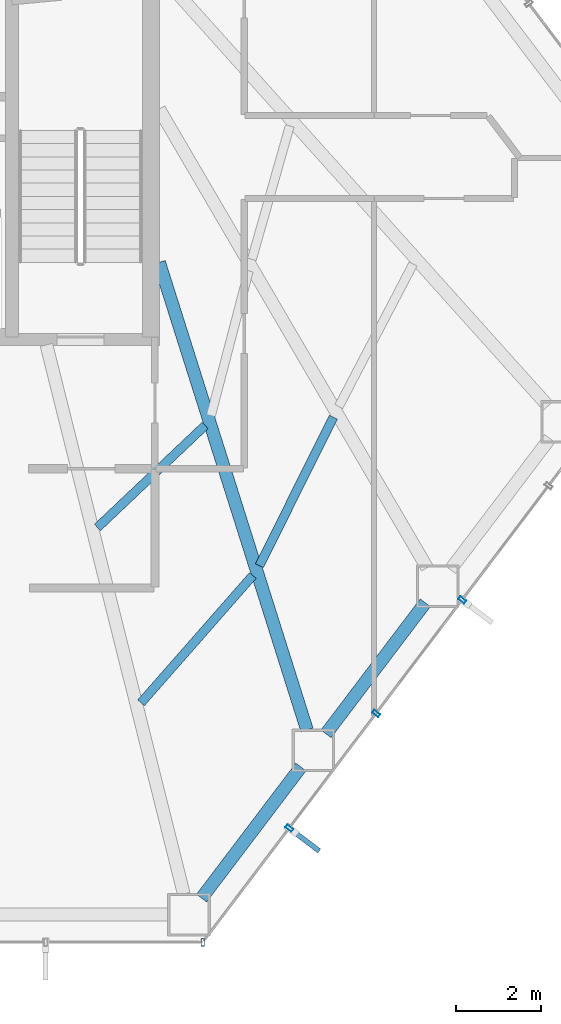
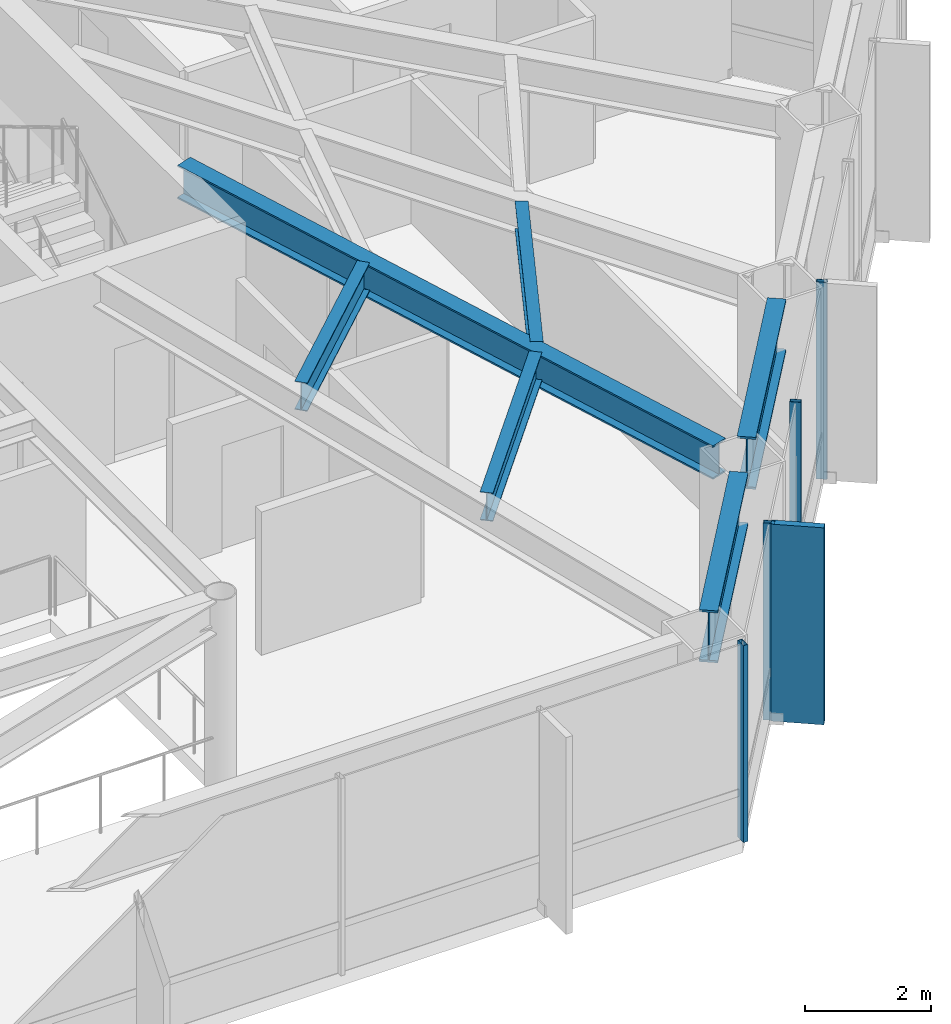
# One storey, part 16 of 25: 6 beams, 5 members, 2 elements without a shape of their own.
"""IFC4 building model written with IfcOpenShell, lengths in metres."""

import ifcopenshell
import ifcopenshell.guid

model = None  # the IFC model being written
_history = None  # IfcOwnerHistory: only IFC2X3 demands one
_inside = {}  # id of a spatial element -> (the spatial element, [elements in it])
_under = {}  # id of a project, library or spatial element -> (it, [spatial elements below it])
_declared = {}  # id of a project -> (the project, [libraries it declares])
_typed = {}  # id of a type object -> (the type object, [elements of that type])
_made_of = {}  # id of a material, layer set ... -> (it, [elements and type objects made of it])


def new_model(schema):
    """Start an empty IFC model of exactly this schema.

    Asked for "IFC4X3", IfcOpenShell would pick the latest addendum, in which some entities
    have other attributes; the version numbers below select the first issue.
    IFC2X3 requires an IfcOwnerHistory on every rooted entity: one is made here for all.
    """
    global model, _history
    if schema == "IFC4X3":
        model = ifcopenshell.file(schema_version=(4, 3, 0, 0))
    else:
        model = ifcopenshell.file(schema=schema)
    _inside.clear()
    _under.clear()
    _declared.clear()
    _typed.clear()
    _made_of.clear()
    _history = None
    if model.schema == "IFC2X3":
        org = make("IfcOrganization", Name="unknown")
        user = make(
            "IfcPersonAndOrganization",
            ThePerson=make("IfcPerson", FamilyName="unknown"),
            TheOrganization=org,
        )
        app = make(
            "IfcApplication",
            ApplicationDeveloper=org,
            Version="unknown",
            ApplicationFullName="unknown",
            ApplicationIdentifier="unknown",
        )
        _history = make(
            "IfcOwnerHistory",
            OwningUser=user,
            OwningApplication=app,
            ChangeAction="ADDED",
            CreationDate=0,
        )
    return model


def make(cls, **values):
    """One entity of the class cls with the attributes given. An attribute that is None is left unset."""
    return model.create_entity(
        cls, **{name: value for name, value in values.items() if value is not None}
    )


def rooted(cls, **values):
    """An entity with a GlobalId (a new one), such as an element, a storey or a relation."""
    return make(cls, GlobalId=ifcopenshell.guid.new(), OwnerHistory=_history, **values)


def si_unit(unit_type, name, prefix=None):
    """IfcSIUnit, for example si_unit("LENGTHUNIT", "METRE", prefix="MILLI")."""
    return make("IfcSIUnit", UnitType=unit_type, Prefix=prefix, Name=name)


def assignment(units):
    """IfcUnitAssignment: the units of a project."""
    return None if units is None else make("IfcUnitAssignment", Units=units)


def point(xyz):
    """IfcCartesianPoint."""
    return None if xyz is None else make("IfcCartesianPoint", Coordinates=xyz)


def direction(xyz):
    """IfcDirection."""
    return None if xyz is None else make("IfcDirection", DirectionRatios=xyz)


def frame(location, z_axis=None, x_axis=None):
    """IfcAxis2Placement3D, a coordinate frame: its origin and axes. An axis left out is left unset."""
    return make(
        "IfcAxis2Placement3D",
        Location=point(location),
        Axis=direction(z_axis),
        RefDirection=direction(x_axis),
    )


def frame_2d(location, x_axis=None):
    """IfcAxis2Placement2D, a coordinate frame in the plane: its origin and x axis."""
    return make(
        "IfcAxis2Placement2D", Location=point(location), RefDirection=direction(x_axis)
    )


def origin():
    """The frame at (0, 0, 0) with its axes left unset."""
    return frame((0.0, 0.0, 0.0))


def origin_2d():
    """The frame at (0, 0) in the plane with its x axis left unset."""
    return frame_2d((0.0, 0.0))


def place(relative_to, where):
    """IfcLocalPlacement: puts the frame where relative to a parent placement (None: the world)."""
    return make(
        "IfcLocalPlacement", PlacementRelTo=relative_to, RelativePlacement=where
    )


def context(
    kind, dimensions, precision=None, world=None, true_north=None, identifier=None
):
    """IfcGeometricRepresentationContext, for example the 3D "Model" context."""
    return make(
        "IfcGeometricRepresentationContext",
        ContextIdentifier=identifier,
        ContextType=kind,
        CoordinateSpaceDimension=dimensions,
        Precision=precision,
        WorldCoordinateSystem=world,
        TrueNorth=true_north,
    )


def subcontext(parent, identifier, kind, view, scale=None):
    """IfcGeometricRepresentationSubContext, for example "Body" below "Model"."""
    return make(
        "IfcGeometricRepresentationSubContext",
        ContextIdentifier=identifier,
        ContextType=kind,
        ParentContext=parent,
        TargetScale=scale,
        TargetView=view,
    )


def project(units=None, contexts=None):
    """IfcProject with its units and contexts."""
    return rooted(
        "IfcProject",
        Name="project",
        RepresentationContexts=contexts,
        UnitsInContext=assignment(units),
    )


def spatial(cls, under=None, at=None, **own):
    """A site, building, storey or space (cls), placed at a placement, below another one or the project."""
    s = rooted(cls, ObjectPlacement=at, **own)
    if under is not None:
        _under.setdefault(under.id(), (under, []))[1].append(s)
    return s


def profile(cls, at=None, kind="AREA", **sizes):
    """A parametric profile (cls). Its sizes go by their IFC names, for example OverallWidth=200.0."""
    return make(cls, ProfileType=kind, Position=at, **sizes)


def rectangle(**sizes):
    """IfcRectangleProfileDef."""
    return profile("IfcRectangleProfileDef", **sizes)


def hollow_rectangle(**sizes):
    """IfcRectangleHollowProfileDef."""
    return profile("IfcRectangleHollowProfileDef", **sizes)


def i_section(**sizes):
    """IfcIShapeProfileDef."""
    return profile("IfcIShapeProfileDef", **sizes)


def extrude(swept, where, along, depth):
    """IfcExtrudedAreaSolid: the profile swept, set in the frame where, extruded along a direction by depth."""
    return make(
        "IfcExtrudedAreaSolid",
        SweptArea=swept,
        Position=where,
        ExtrudedDirection=direction(along),
        Depth=depth,
    )


def shape(context_of_items, identifier, shape_type, items):
    """IfcShapeRepresentation: the items that make up one representation, for example the "Body"."""
    return make(
        "IfcShapeRepresentation",
        ContextOfItems=context_of_items,
        RepresentationIdentifier=identifier,
        RepresentationType=shape_type,
        Items=items,
    )


def material(Name=None, Category=None):
    """IfcMaterial."""
    return make("IfcMaterial", Name=Name, Category=Category)


def layer(
    of_material, thickness, ventilated=None, Name=None, Category=None, Priority=None
):
    """IfcMaterialLayer: one layer of a wall or slab, of a material (None: an air gap)."""
    return make(
        "IfcMaterialLayer",
        Material=of_material,
        LayerThickness=thickness,
        IsVentilated=ventilated,
        Name=Name,
        Category=Category,
        Priority=Priority,
    )


def layer_set(layers, Name=None):
    """IfcMaterialLayerSet."""
    return make("IfcMaterialLayerSet", MaterialLayers=layers, LayerSetName=Name)


def material_profile(
    of_material, cross_section, Name=None, Category=None, Priority=None
):
    """IfcMaterialProfile: a cross section and its material."""
    return make(
        "IfcMaterialProfile",
        Name=Name,
        Material=of_material,
        Profile=cross_section,
        Priority=Priority,
        Category=Category,
    )


def profile_set(profiles, Name=None, composite=None):
    """IfcMaterialProfileSet."""
    return make(
        "IfcMaterialProfileSet",
        Name=Name,
        MaterialProfiles=profiles,
        CompositeProfile=composite,
    )


def made_of(thing, what):
    """Note that an element or type object is made of a material, layer set ...; save() writes the relation."""
    if what is not None:
        _made_of.setdefault(what.id(), (what, []))[1].append(thing)
    return thing


def type_object(cls, material=None, **own):
    """A type object (cls), such as IfcWallType, which elements share."""
    return made_of(rooted(cls, **own), material)


def element(
    cls,
    number,
    at=None,
    inside=None,
    cuts=None,
    type_object=None,
    material=None,
    context=None,
    identifier="Body",
    shape_type=None,
    held_by="IfcProductDefinitionShape",
    body=None,
    shapes=None,
    **own,
):
    """One element of the class cls, such as IfcWall. Its Tag is "e" and its number.

    at: its placement. inside: the storey or other place that contains it. cuts: it is an
    opening in that element (IfcRelVoidsElement). A single representation is given by context,
    identifier, shape_type and body (its items); several are given by shapes. held_by: the class
    of the entity that holds the representations. save() writes the other relations.
    """
    e = rooted(cls, Tag="e%d" % number, ObjectPlacement=at, **own)
    if body is not None:
        shapes = [shape(context, identifier, shape_type, body)]
    if shapes is not None:
        e.Representation = make(held_by, Representations=shapes)
    if inside is not None:
        _inside.setdefault(inside.id(), (inside, []))[1].append(e)
    if cuts is not None:
        rooted(
            "IfcRelVoidsElement", RelatingBuildingElement=cuts, RelatedOpeningElement=e
        )
    if type_object is not None:
        _typed.setdefault(type_object.id(), (type_object, []))[1].append(e)
    return made_of(e, material)


def aggregate(whole, parts):
    """IfcRelAggregates: a whole, such as a stair, and the parts it consists of."""
    return rooted("IfcRelAggregates", RelatingObject=whole, RelatedObjects=parts)


def save(model, path):
    """Write the relations noted so far, then the file.

    IfcRelAggregates (storeys below a building ...), IfcRelContainedInSpatialStructure (elements
    in a storey), IfcRelDefinesByType, IfcRelAssociatesMaterial and IfcRelDeclares: one each for
    every whole, place, type object, material and project.
    """
    for whole, parts in _under.values():
        aggregate(whole, parts)
    for where, things in _inside.values():
        rooted(
            "IfcRelContainedInSpatialStructure",
            RelatedElements=things,
            RelatingStructure=where,
        )
    for kind, things in _typed.values():
        rooted("IfcRelDefinesByType", RelatedObjects=things, RelatingType=kind)
    for what, things in _made_of.values():
        rooted("IfcRelAssociatesMaterial", RelatedObjects=things, RelatingMaterial=what)
    for by, libraries in _declared.values():
        rooted("IfcRelDeclares", RelatingContext=by, RelatedDefinitions=libraries)
    model.write(path)


model = new_model("IFC4")

# Units and contexts
model_context = context("Model", 3, precision=1e-05, world=origin(), true_north=direction((0.0, 1.0)))
body_context = subcontext(model_context, "Body", "Model", "MODEL_VIEW")
ifc_project = project(units=[si_unit("LENGTHUNIT", "METRE"), si_unit("AREAUNIT", "SQUARE_METRE"), si_unit("VOLUMEUNIT", "CUBIC_METRE"), si_unit("PLANEANGLEUNIT", "RADIAN"), si_unit("MASSUNIT", "GRAM", prefix="KILO")], contexts=[model_context])

# Site, building, storey
site_placement = place(None, origin())
site = spatial("IfcSite", under=ifc_project, at=site_placement, CompositionType="ELEMENT")
building_placement = place(site_placement, origin())
building = spatial("IfcBuilding", under=site, at=building_placement, Name="Zarrinselat Tower", CompositionType="ELEMENT")
storey_placement = place(building_placement, frame((0.0, 0.0, 43.860107421875)))
storey = spatial("IfcBuildingStorey", under=building, at=storey_placement, Name="L10", CompositionType="ELEMENT", Elevation=43.860107421875)

# Beams
ifc_material_1 = material(Name="Steel S355J2", Category="steel")
ifc_material_profile_1 = material_profile(ifc_material_1, i_section(OverallWidth=0.300048828125, OverallDepth=0.64990234375, WebThickness=0.01611328125, FlangeThickness=0.031005859375, at=origin_2d()), Name="HEB 650")
ifc_profile_set_1 = profile_set([ifc_material_profile_1], Name="Steel S355J2")
beam_type_1 = type_object("IfcBeamType", Name="BM-HEB650", PredefinedType="BEAM", material=ifc_profile_set_1)
beam_1_placement = place(storey_placement, frame((48.449951171875, 35.0, 3.494873046875), z_axis=(0.301458810122, -0.953479200507, 0.0), x_axis=(0.953479200507, 0.301458810122, 0.0)))
element("IfcBeam", 1, at=beam_1_placement, inside=storey, type_object=beam_type_1, Name="L10 Radial Primary Girder RG12", PredefinedType="BEAM", context=body_context, shape_type="SweptSolid", body=[
    extrude(i_section(OverallWidth=0.300048828125, OverallDepth=0.64990234375, WebThickness=0.01611328125, FlangeThickness=0.031005859375, at=origin_2d()), origin(), (0.0, 0.0, 1.0), 11.525146484375),
])
ifc_material_2 = material(Name="Steel S460M", Category="steel")
ifc_material_profile_2 = material_profile(ifc_material_2, i_section(OverallWidth=0.302001953125, OverallDepth=1.008056640625, WebThickness=0.02099609375, FlangeThickness=0.0400390625, at=origin_2d()), Name="HEM 1000")
ifc_profile_set_2 = profile_set([ifc_material_profile_2], Name="Steel S460M")
beam_type_2 = type_object("IfcBeamType", Name="BM-HEM1000", PredefinedType="BEAM", material=ifc_profile_set_2)
beam_2_placement = place(storey_placement, frame((49.4462890625, 20.06201171875, 3.31591796875), z_axis=(0.603883222143, 0.797072803459, 0.0), x_axis=(-0.797072803459, 0.603883222143, 0.0)))
element("IfcBeam", 2, at=beam_2_placement, inside=storey, type_object=beam_type_2, Name="L10 Perimeter Spandrel Girder SP11", PredefinedType="BEAM", context=body_context, shape_type="SweptSolid", body=[
    extrude(i_section(OverallWidth=0.302001953125, OverallDepth=1.008056640625, WebThickness=0.02099609375, FlangeThickness=0.0400390625, at=origin_2d()), origin(), (0.0, 0.0, 1.0), 3.86572265625),
])
beam_3_placement = place(storey_placement, frame((52.3701171875, 23.92138671875, 3.31591796875), z_axis=(0.603852824523, 0.79709583258, 0.0), x_axis=(-0.79709583258, 0.603852824523, 0.0)))
element("IfcBeam", 3, at=beam_3_placement, inside=storey, type_object=beam_type_2, Name="L10 Perimeter Spandrel Girder SP12", PredefinedType="BEAM", context=body_context, shape_type="SweptSolid", body=[
    extrude(i_section(OverallWidth=0.302001953125, OverallDepth=1.008056640625, WebThickness=0.02099609375, FlangeThickness=0.0400390625, at=origin_2d()), origin(), (0.0, 0.0, 1.0), 3.865966796875),
])
ifc_material_3 = material(Name="Steel S355J2", Category="steel")
ifc_material_profile_3 = material_profile(ifc_material_3, i_section(OverallWidth=0.2099609375, OverallDepth=0.550048828125, WebThickness=0.010986328125, FlangeThickness=0.01708984375, at=origin_2d()), Name="IPE 550")
ifc_profile_set_3 = profile_set([ifc_material_profile_3], Name="Steel S355J2")
beam_type_3 = type_object("IfcBeamType", Name="BM-IPE550", PredefinedType="JOIST", material=ifc_profile_set_3)
beam_4_placement = place(storey_placement, frame((48.02392578125, 24.651123046875, 3.544921875), z_axis=(0.659871278804, 0.751378663131, 0.0), x_axis=(-0.751378663131, 0.659871278804, 0.0)))
element("IfcBeam", 4, at=beam_4_placement, inside=storey, type_object=beam_type_3, Name="L10 Composite Floor Joist 3-1", PredefinedType="JOIST", context=body_context, shape_type="SweptSolid", body=[
    extrude(i_section(OverallWidth=0.2099609375, OverallDepth=0.550048828125, WebThickness=0.010986328125, FlangeThickness=0.01708984375, at=origin_2d()), origin(), (0.0, 0.0, 1.0), 3.980712890625),
])
beam_5_placement = place(storey_placement, frame((46.999755859375, 28.770263671875, 3.544921875), z_axis=(0.725869844453, 0.687832079009, 0.0), x_axis=(-0.687832079009, 0.725869844453, 0.0)))
element("IfcBeam", 5, at=beam_5_placement, inside=storey, type_object=beam_type_3, Name="L10 Composite Floor Joist 3-2", PredefinedType="JOIST", context=body_context, shape_type="SweptSolid", body=[
    extrude(i_section(OverallWidth=0.2099609375, OverallDepth=0.550048828125, WebThickness=0.010986328125, FlangeThickness=0.01708984375, at=origin_2d()), origin(), (0.0, 0.0, 1.0), 3.485107421875),
])
beam_6_placement = place(storey_placement, frame((50.805419921875, 27.87255859375, 3.544921875), z_axis=(0.445610008734, 0.895227189107, 0.0), x_axis=(-0.895227189107, 0.445610008734, 0.0)))
element("IfcBeam", 6, at=beam_6_placement, inside=storey, type_object=beam_type_3, Name="L10 Composite Floor Joist 4-1", PredefinedType="JOIST", context=body_context, shape_type="SweptSolid", body=[
    extrude(i_section(OverallWidth=0.2099609375, OverallDepth=0.550048828125, WebThickness=0.010986328125, FlangeThickness=0.01708984375, at=origin_2d()), origin(), (0.0, 0.0, 1.0), 3.899169921875),
])

# Curtain wall, member
ifc_material_4 = material(Name="Extruded Aluminium Alloy EN AW-6063 T6", Category="aluminium")
ifc_layer = layer(ifc_material_4, 0.18505859375)
ifc_layer_set = layer_set([ifc_layer], Name="Extruded Aluminium Alloy EN AW-6063 T6")
curtain_wall_type = type_object("IfcCurtainWallType", Name="CWS-OFF", PredefinedType="NOTDEFINED", material=ifc_layer_set)
curtain_wall_1_placement = place(storey_placement, origin())
curtain_wall_1 = element("IfcCurtainWall", 7, at=curtain_wall_1_placement, inside=storey, type_object=curtain_wall_type, Name="L10 Unitised Curtain Wall CW-L10-E04", PredefinedType="NOTDEFINED")
ifc_material_5 = material(Name="Extruded Aluminium Alloy EN AW-6063 T6", Category="aluminium")
ifc_material_profile_4 = material_profile(ifc_material_5, hollow_rectangle(XDim=0.080078125, YDim=0.179931640625, WallThickness=0.0048828125, at=origin_2d()), Name="RHS 180x80x5")
ifc_profile_set_4 = profile_set([ifc_material_profile_4], Name="Extruded Aluminium Alloy EN AW-6063 T6")
member_type_1 = type_object("IfcMemberType", Name="MEM-CW-MUL", PredefinedType="MULLION", material=ifc_profile_set_4)
member_1_placement = place(storey_placement, frame((49.474609375, 19.02294921875, 0.0), z_axis=(0.0, 0.0, 1.0), x_axis=(1.0, 0.0, 0.0)))
member_1 = element("IfcMember", 8, at=member_1_placement, type_object=member_type_1, Name="CW-L10-E04 Mullion 6", PredefinedType="MULLION", context=body_context, shape_type="SweptSolid", body=[
    extrude(hollow_rectangle(XDim=0.080078125, YDim=0.179931640625, WallThickness=0.0048828125, at=origin_2d()), origin(), (0.0, 0.0, 1.0), 3.81982421875),
])
aggregate(curtain_wall_1, [member_1])

# Curtain wall, members
curtain_wall_2_placement = place(storey_placement, origin())
curtain_wall_2 = element("IfcCurtainWall", 9, at=curtain_wall_2_placement, inside=storey, type_object=curtain_wall_type, Name="L10 Unitised Curtain Wall CW-L10-E05", PredefinedType="NOTDEFINED")
member_2_placement = place(storey_placement, frame((51.505859375, 21.7041015625, 0.0), z_axis=(0.0, 0.0, 1.0), x_axis=(0.603859118859, 0.797091064164, 0.0)))
member_2 = element("IfcMember", 10, at=member_2_placement, type_object=member_type_1, Name="CW-L10-E05 Mullion 1", PredefinedType="MULLION", context=body_context, shape_type="SweptSolid", body=[
    extrude(hollow_rectangle(XDim=0.080078125, YDim=0.179931640625, WallThickness=0.0048828125, at=origin_2d()), origin(), (0.0, 0.0, 1.0), 3.81982421875),
])
member_3_placement = place(storey_placement, frame((53.5478515625, 24.399658203125, 0.0), z_axis=(0.0, 0.0, 1.0), x_axis=(0.603859118859, 0.797091064164, 0.0)))
member_3 = element("IfcMember", 11, at=member_3_placement, type_object=member_type_1, Name="CW-L10-E05 Mullion 2", PredefinedType="MULLION", context=body_context, shape_type="SweptSolid", body=[
    extrude(hollow_rectangle(XDim=0.080078125, YDim=0.179931640625, WallThickness=0.0048828125, at=origin_2d()), origin(), (0.0, 0.0, 1.0), 3.81982421875),
])
member_4_placement = place(storey_placement, frame((55.568603515625, 27.06689453125, 0.0), z_axis=(0.0, 0.0, 1.0), x_axis=(0.603859118859, 0.797091064164, 0.0)))
member_4 = element("IfcMember", 12, at=member_4_placement, type_object=member_type_1, Name="CW-L10-E05 Mullion 3", PredefinedType="MULLION", context=body_context, shape_type="SweptSolid", body=[
    extrude(hollow_rectangle(XDim=0.080078125, YDim=0.179931640625, WallThickness=0.0048828125, at=origin_2d()), origin(), (0.0, 0.0, 1.0), 3.81982421875),
])
ifc_material_6 = material(Name="Honed Cream Travertine Stone", Category="masonry")
ifc_material_profile_5 = material_profile(ifc_material_6, rectangle(XDim=0.1201171875, YDim=0.85009765625, at=origin_2d()), Name="FIN 850x120")
ifc_profile_set_5 = profile_set([ifc_material_profile_5], Name="Honed Cream Travertine Stone")
member_type_2 = type_object("IfcMemberType", Name="MEM-STONE-FIN", PredefinedType="USERDEFINED", material=ifc_profile_set_5)
member_5_placement = place(storey_placement, frame((51.87255859375, 21.426513671875, 0.0), z_axis=(0.0, 0.0, 1.0), x_axis=(-0.603859118859, -0.797091064164, 0.0)))
member_5 = element("IfcMember", 13, at=member_5_placement, type_object=member_type_2, Name="L10 Stone Shading Fin CW-L10-E05-01", ObjectType="FIN", PredefinedType="USERDEFINED", context=body_context, shape_type="SweptSolid", body=[
    extrude(rectangle(XDim=0.1201171875, YDim=0.85009765625, at=origin_2d()), origin(), (0.0, 0.0, 1.0), 3.81982421875),
])
aggregate(curtain_wall_2, [member_2, member_5, member_3, member_4])

save(model, "model.ifc")
